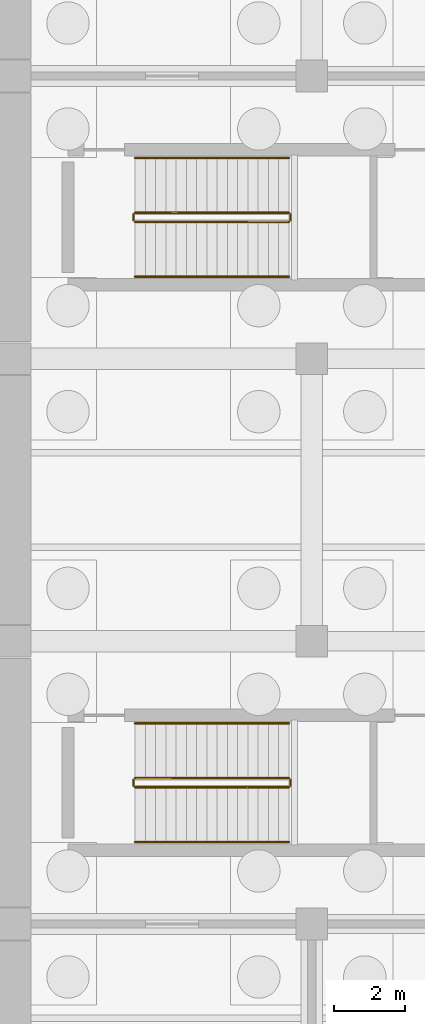
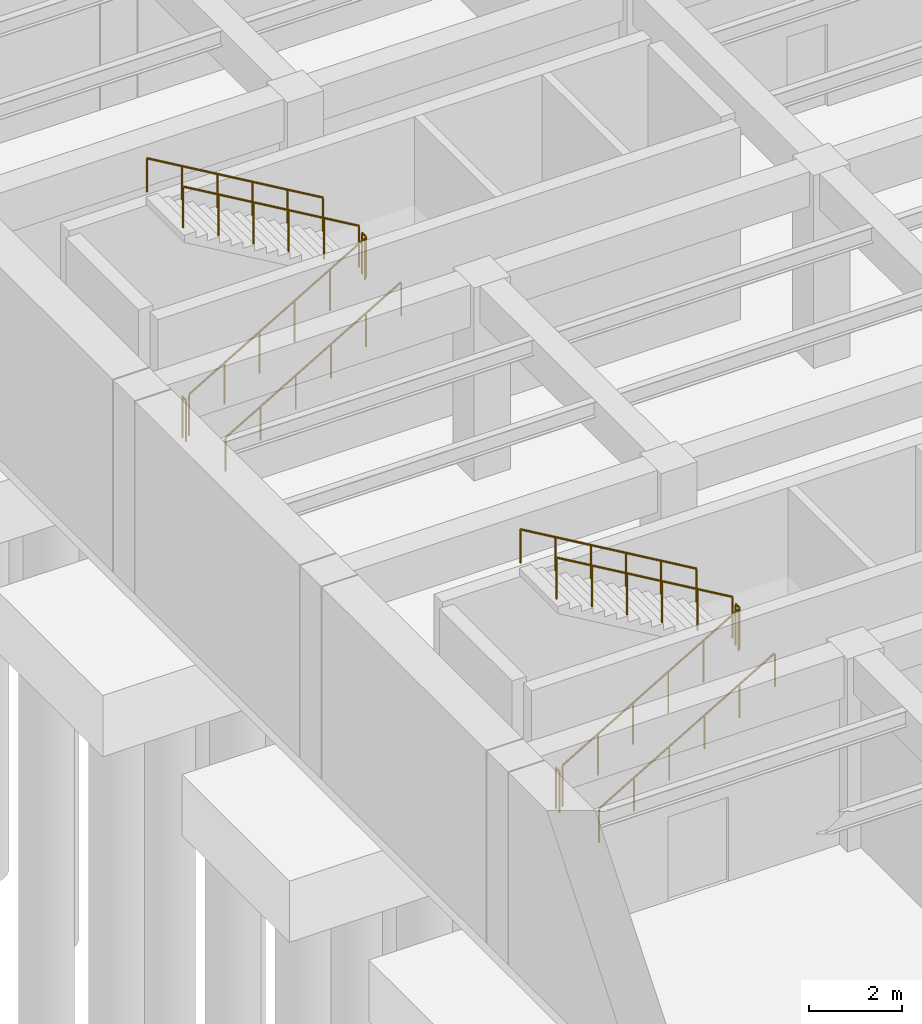
# One storey, part 10 of 12: 12 railings.
"""IFC4 building model written with IfcOpenShell, lengths in metres."""

from ifc_helpers import new_model, si_unit, direction, frame, origin, origin_2d, place, context, subcontext, project, spatial, circle, extrude, material, type_object, element, save


model = new_model("IFC4")

# Units and contexts
model_context = context("Model", 3, precision=1e-05, world=origin(), true_north=direction((0.0, 1.0)))
body_context = subcontext(model_context, "Body", "Model", "MODEL_VIEW")
ifc_project = project(units=[si_unit("LENGTHUNIT", "METRE"), si_unit("AREAUNIT", "SQUARE_METRE"), si_unit("VOLUMEUNIT", "CUBIC_METRE"), si_unit("PLANEANGLEUNIT", "RADIAN"), si_unit("MASSUNIT", "GRAM", prefix="KILO")], contexts=[model_context])

# Site, building, storey
site_placement = place(None, origin())
site = spatial("IfcSite", under=ifc_project, at=site_placement, CompositionType="ELEMENT")
building_placement = place(site_placement, origin())
building = spatial("IfcBuilding", under=site, at=building_placement, Name="Kranzveld Transit Interchange", CompositionType="ELEMENT")
storey_placement = place(building_placement, frame((0.0, 0.0, -10.8798828125)))
storey = spatial("IfcBuildingStorey", under=building, at=storey_placement, Name="B2", CompositionType="ELEMENT", Elevation=-10.8798828125)

# Railings
ifc_material_1 = material(Name="Steel S355JR", Category="steel")
railing_type_1 = type_object("IfcRailingType", Name="Stair & Ramp Handrail Steel 900", PredefinedType="HANDRAIL", material=ifc_material_1)
railing_1_placement = place(storey_placement, frame((3.39990234375, 66.320068359375, 0.169921875)))
element("IfcRailing", 1, at=railing_1_placement, inside=storey, type_object=railing_type_1, Name="B2 ST-C1 stair handrail 1", PredefinedType="HANDRAIL", context=body_context, shape_type="SweptSolid", body=[
    extrude(circle(Radius=0.02392578125, at=origin_2d()), frame((0.0, 0.0, 0.8759765625), z_axis=(0.862698698498, 0.0, 0.505718257145), x_axis=(0.0, 1.0, 0.0)), (0.0, 0.0, 1.0), 5.04248046875),
    extrude(circle(Radius=0.02099609375, at=origin_2d()), origin(), (0.0, 0.0, 1.0), 0.849853515625),
    extrude(circle(Radius=0.02099609375, at=origin_2d()), frame((0.8701171875, 0.0, 0.510009765625)), (0.0, 0.0, 1.0), 0.849853515625),
    extrude(circle(Radius=0.02099609375, at=origin_2d()), frame((1.739990234375, 0.0, 1.02001953125)), (0.0, 0.0, 1.0), 0.849853515625),
    extrude(circle(Radius=0.02099609375, at=origin_2d()), frame((2.610107421875, 0.0, 1.530029296875)), (0.0, 0.0, 1.0), 0.849853515625),
    extrude(circle(Radius=0.02099609375, at=origin_2d()), frame((3.47998046875, 0.0, 2.0400390625)), (0.0, 0.0, 1.0), 0.849853515625),
    extrude(circle(Radius=0.02099609375, at=origin_2d()), frame((4.35009765625, 0.0, 2.550048828125)), (0.0, 0.0, 1.0), 0.849853515625),
])
railing_2_placement = place(storey_placement, frame((7.75, 69.679931640625, 2.889892578125)))
element("IfcRailing", 2, at=railing_2_placement, inside=storey, type_object=railing_type_1, Name="B2 ST-C1 stair handrail 2", PredefinedType="HANDRAIL", context=body_context, shape_type="SweptSolid", body=[
    extrude(circle(Radius=0.02392578125, at=origin_2d()), frame((0.0, 0.0, 0.8759765625), z_axis=(-0.862698698498, 0.0, 0.505718257145), x_axis=(0.0, -1.0, 0.0)), (0.0, 0.0, 1.0), 5.04248046875),
    extrude(circle(Radius=0.02099609375, at=origin_2d()), origin(), (0.0, 0.0, 1.0), 0.849853515625),
    extrude(circle(Radius=0.02099609375, at=origin_2d()), frame((-0.8701171875, 0.0, 0.510009765625)), (0.0, 0.0, 1.0), 0.849853515625),
    extrude(circle(Radius=0.02099609375, at=origin_2d()), frame((-1.739990234375, 0.0, 1.02001953125)), (0.0, 0.0, 1.0), 0.849853515625),
    extrude(circle(Radius=0.02099609375, at=origin_2d()), frame((-2.610107421875, 0.0, 1.530029296875)), (0.0, 0.0, 1.0), 0.849853515625),
    extrude(circle(Radius=0.02099609375, at=origin_2d()), frame((-3.47998046875, 0.0, 2.0400390625)), (0.0, 0.0, 1.0), 0.849853515625),
    extrude(circle(Radius=0.02099609375, at=origin_2d()), frame((-4.35009765625, 0.0, 2.550048828125)), (0.0, 0.0, 1.0), 0.849853515625),
])
railing_3_placement = place(storey_placement, frame((3.39990234375, 82.320068359375, 0.169921875)))
element("IfcRailing", 3, at=railing_3_placement, inside=storey, type_object=railing_type_1, Name="B2 ST-C2 stair handrail 1", PredefinedType="HANDRAIL", context=body_context, shape_type="SweptSolid", body=[
    extrude(circle(Radius=0.02392578125, at=origin_2d()), frame((0.0, 0.0, 0.8759765625), z_axis=(0.862698698498, 0.0, 0.505718257145), x_axis=(0.0, 1.0, 0.0)), (0.0, 0.0, 1.0), 5.04248046875),
    extrude(circle(Radius=0.02099609375, at=origin_2d()), origin(), (0.0, 0.0, 1.0), 0.849853515625),
    extrude(circle(Radius=0.02099609375, at=origin_2d()), frame((0.8701171875, 0.0, 0.510009765625)), (0.0, 0.0, 1.0), 0.849853515625),
    extrude(circle(Radius=0.02099609375, at=origin_2d()), frame((1.739990234375, 0.0, 1.02001953125)), (0.0, 0.0, 1.0), 0.849853515625),
    extrude(circle(Radius=0.02099609375, at=origin_2d()), frame((2.610107421875, 0.0, 1.530029296875)), (0.0, 0.0, 1.0), 0.849853515625),
    extrude(circle(Radius=0.02099609375, at=origin_2d()), frame((3.47998046875, 0.0, 2.0400390625)), (0.0, 0.0, 1.0), 0.849853515625),
    extrude(circle(Radius=0.02099609375, at=origin_2d()), frame((4.35009765625, 0.0, 2.550048828125)), (0.0, 0.0, 1.0), 0.849853515625),
])
railing_4_placement = place(storey_placement, frame((7.75, 85.679931640625, 2.889892578125)))
element("IfcRailing", 4, at=railing_4_placement, inside=storey, type_object=railing_type_1, Name="B2 ST-C2 stair handrail 2", PredefinedType="HANDRAIL", context=body_context, shape_type="SweptSolid", body=[
    extrude(circle(Radius=0.02392578125, at=origin_2d()), frame((0.0, 0.0, 0.8759765625), z_axis=(-0.862698698498, 0.0, 0.505718257145), x_axis=(0.0, -1.0, 0.0)), (0.0, 0.0, 1.0), 5.04248046875),
    extrude(circle(Radius=0.02099609375, at=origin_2d()), origin(), (0.0, 0.0, 1.0), 0.849853515625),
    extrude(circle(Radius=0.02099609375, at=origin_2d()), frame((-0.8701171875, 0.0, 0.510009765625)), (0.0, 0.0, 1.0), 0.849853515625),
    extrude(circle(Radius=0.02099609375, at=origin_2d()), frame((-1.739990234375, 0.0, 1.02001953125)), (0.0, 0.0, 1.0), 0.849853515625),
    extrude(circle(Radius=0.02099609375, at=origin_2d()), frame((-2.610107421875, 0.0, 1.530029296875)), (0.0, 0.0, 1.0), 0.849853515625),
    extrude(circle(Radius=0.02099609375, at=origin_2d()), frame((-3.47998046875, 0.0, 2.0400390625)), (0.0, 0.0, 1.0), 0.849853515625),
    extrude(circle(Radius=0.02099609375, at=origin_2d()), frame((-4.35009765625, 0.0, 2.550048828125)), (0.0, 0.0, 1.0), 0.849853515625),
])
ifc_material_2 = material(Name="Steel S355JR", Category="steel")
railing_type_2 = type_object("IfcRailingType", Name="Stair Well Guardrail Steel 1100", PredefinedType="GUARDRAIL", material=ifc_material_2)
railing_5_placement = place(storey_placement, frame((3.39990234375, 67.8701171875, 0.169921875)))
element("IfcRailing", 5, at=railing_5_placement, inside=storey, type_object=railing_type_2, Name="B2 ST-C1 stair guard 1", PredefinedType="GUARDRAIL", context=body_context, shape_type="SweptSolid", body=[
    extrude(circle(Radius=0.02392578125, at=origin_2d()), frame((0.0, 0.0, 1.076171875), z_axis=(0.862698698498, 0.0, 0.505718257145), x_axis=(0.0, 1.0, 0.0)), (0.0, 0.0, 1.0), 5.04248046875),
    extrude(circle(Radius=0.02099609375, at=origin_2d()), origin(), (0.0, 0.0, 1.0), 1.050048828125),
    extrude(circle(Radius=0.02099609375, at=origin_2d()), frame((0.8701171875, 0.0, 0.510009765625)), (0.0, 0.0, 1.0), 1.050048828125),
    extrude(circle(Radius=0.02099609375, at=origin_2d()), frame((1.739990234375, 0.0, 1.02001953125)), (0.0, 0.0, 1.0), 1.050048828125),
    extrude(circle(Radius=0.02099609375, at=origin_2d()), frame((2.610107421875, 0.0, 1.530029296875)), (0.0, 0.0, 1.0), 1.050048828125),
    extrude(circle(Radius=0.02099609375, at=origin_2d()), frame((3.47998046875, 0.0, 2.0400390625)), (0.0, 0.0, 1.0), 1.050048828125),
    extrude(circle(Radius=0.02099609375, at=origin_2d()), frame((4.35009765625, 0.0, 2.550048828125)), (0.0, 0.0, 1.0), 1.050048828125),
])
railing_6_placement = place(storey_placement, frame((7.800048828125, 67.919921875, 2.719970703125)))
element("IfcRailing", 6, at=railing_6_placement, inside=storey, type_object=railing_type_2, Name="B2 ST-C1 stair guard 2", PredefinedType="GUARDRAIL", context=body_context, shape_type="SweptSolid", body=[
    extrude(circle(Radius=0.02392578125, at=origin_2d()), frame((0.0, 0.0, 1.076171875), z_axis=(0.0, 1.0, 0.0), x_axis=(-1.0, 0.0, 0.0)), (0.0, 0.0, 1.0), 0.16015625),
    extrude(circle(Radius=0.02099609375, at=origin_2d()), origin(), (0.0, 0.0, 1.0), 1.050048828125),
    extrude(circle(Radius=0.02099609375, at=origin_2d()), frame((0.0, 0.16015625, 0.0)), (0.0, 0.0, 1.0), 1.050048828125),
])
railing_7_placement = place(storey_placement, frame((7.75, 68.1298828125, 2.889892578125)))
element("IfcRailing", 7, at=railing_7_placement, inside=storey, type_object=railing_type_2, Name="B2 ST-C1 stair guard 3", PredefinedType="GUARDRAIL", context=body_context, shape_type="SweptSolid", body=[
    extrude(circle(Radius=0.02392578125, at=origin_2d()), frame((0.0, 0.0, 1.076171875), z_axis=(-0.862698698498, 0.0, 0.505718257145), x_axis=(0.0, -1.0, 0.0)), (0.0, 0.0, 1.0), 5.04248046875),
    extrude(circle(Radius=0.02099609375, at=origin_2d()), origin(), (0.0, 0.0, 1.0), 1.050048828125),
    extrude(circle(Radius=0.02099609375, at=origin_2d()), frame((-0.8701171875, 0.0, 0.510009765625)), (0.0, 0.0, 1.0), 1.050048828125),
    extrude(circle(Radius=0.02099609375, at=origin_2d()), frame((-1.739990234375, 0.0, 1.02001953125)), (0.0, 0.0, 1.0), 1.050048828125),
    extrude(circle(Radius=0.02099609375, at=origin_2d()), frame((-2.610107421875, 0.0, 1.530029296875)), (0.0, 0.0, 1.0), 1.050048828125),
    extrude(circle(Radius=0.02099609375, at=origin_2d()), frame((-3.47998046875, 0.0, 2.0400390625)), (0.0, 0.0, 1.0), 1.050048828125),
    extrude(circle(Radius=0.02099609375, at=origin_2d()), frame((-4.35009765625, 0.0, 2.550048828125)), (0.0, 0.0, 1.0), 1.050048828125),
])
railing_8_placement = place(storey_placement, frame((3.35009765625, 67.919921875, 0.0)))
element("IfcRailing", 8, at=railing_8_placement, inside=storey, type_object=railing_type_2, Name="B2 ST-C1 stair guard 4", PredefinedType="GUARDRAIL", context=body_context, shape_type="SweptSolid", body=[
    extrude(circle(Radius=0.02392578125, at=origin_2d()), frame((0.0, 0.0, 1.076171875), z_axis=(0.0, 1.0, 0.0), x_axis=(-1.0, 0.0, 0.0)), (0.0, 0.0, 1.0), 0.16015625),
    extrude(circle(Radius=0.02099609375, at=origin_2d()), origin(), (0.0, 0.0, 1.0), 1.050048828125),
    extrude(circle(Radius=0.02099609375, at=origin_2d()), frame((0.0, 0.16015625, 0.0)), (0.0, 0.0, 1.0), 1.050048828125),
])
railing_9_placement = place(storey_placement, frame((3.39990234375, 83.8701171875, 0.169921875)))
element("IfcRailing", 9, at=railing_9_placement, inside=storey, type_object=railing_type_2, Name="B2 ST-C2 stair guard 1", PredefinedType="GUARDRAIL", context=body_context, shape_type="SweptSolid", body=[
    extrude(circle(Radius=0.02392578125, at=origin_2d()), frame((0.0, 0.0, 1.076171875), z_axis=(0.862698698498, 0.0, 0.505718257145), x_axis=(0.0, 1.0, 0.0)), (0.0, 0.0, 1.0), 5.04248046875),
    extrude(circle(Radius=0.02099609375, at=origin_2d()), origin(), (0.0, 0.0, 1.0), 1.050048828125),
    extrude(circle(Radius=0.02099609375, at=origin_2d()), frame((0.8701171875, 0.0, 0.510009765625)), (0.0, 0.0, 1.0), 1.050048828125),
    extrude(circle(Radius=0.02099609375, at=origin_2d()), frame((1.739990234375, 0.0, 1.02001953125)), (0.0, 0.0, 1.0), 1.050048828125),
    extrude(circle(Radius=0.02099609375, at=origin_2d()), frame((2.610107421875, 0.0, 1.530029296875)), (0.0, 0.0, 1.0), 1.050048828125),
    extrude(circle(Radius=0.02099609375, at=origin_2d()), frame((3.47998046875, 0.0, 2.0400390625)), (0.0, 0.0, 1.0), 1.050048828125),
    extrude(circle(Radius=0.02099609375, at=origin_2d()), frame((4.35009765625, 0.0, 2.550048828125)), (0.0, 0.0, 1.0), 1.050048828125),
])
railing_10_placement = place(storey_placement, frame((7.800048828125, 83.919921875, 2.719970703125)))
element("IfcRailing", 10, at=railing_10_placement, inside=storey, type_object=railing_type_2, Name="B2 ST-C2 stair guard 2", PredefinedType="GUARDRAIL", context=body_context, shape_type="SweptSolid", body=[
    extrude(circle(Radius=0.02392578125, at=origin_2d()), frame((0.0, 0.0, 1.076171875), z_axis=(0.0, 1.0, 0.0), x_axis=(-1.0, 0.0, 0.0)), (0.0, 0.0, 1.0), 0.16015625),
    extrude(circle(Radius=0.02099609375, at=origin_2d()), origin(), (0.0, 0.0, 1.0), 1.050048828125),
    extrude(circle(Radius=0.02099609375, at=origin_2d()), frame((0.0, 0.16015625, 0.0)), (0.0, 0.0, 1.0), 1.050048828125),
])
railing_11_placement = place(storey_placement, frame((7.75, 84.1298828125, 2.889892578125)))
element("IfcRailing", 11, at=railing_11_placement, inside=storey, type_object=railing_type_2, Name="B2 ST-C2 stair guard 3", PredefinedType="GUARDRAIL", context=body_context, shape_type="SweptSolid", body=[
    extrude(circle(Radius=0.02392578125, at=origin_2d()), frame((0.0, 0.0, 1.076171875), z_axis=(-0.862698698498, 0.0, 0.505718257145), x_axis=(0.0, -1.0, 0.0)), (0.0, 0.0, 1.0), 5.04248046875),
    extrude(circle(Radius=0.02099609375, at=origin_2d()), origin(), (0.0, 0.0, 1.0), 1.050048828125),
    extrude(circle(Radius=0.02099609375, at=origin_2d()), frame((-0.8701171875, 0.0, 0.510009765625)), (0.0, 0.0, 1.0), 1.050048828125),
    extrude(circle(Radius=0.02099609375, at=origin_2d()), frame((-1.739990234375, 0.0, 1.02001953125)), (0.0, 0.0, 1.0), 1.050048828125),
    extrude(circle(Radius=0.02099609375, at=origin_2d()), frame((-2.610107421875, 0.0, 1.530029296875)), (0.0, 0.0, 1.0), 1.050048828125),
    extrude(circle(Radius=0.02099609375, at=origin_2d()), frame((-3.47998046875, 0.0, 2.0400390625)), (0.0, 0.0, 1.0), 1.050048828125),
    extrude(circle(Radius=0.02099609375, at=origin_2d()), frame((-4.35009765625, 0.0, 2.550048828125)), (0.0, 0.0, 1.0), 1.050048828125),
])
railing_12_placement = place(storey_placement, frame((3.35009765625, 83.919921875, 0.0)))
element("IfcRailing", 12, at=railing_12_placement, inside=storey, type_object=railing_type_2, Name="B2 ST-C2 stair guard 4", PredefinedType="GUARDRAIL", context=body_context, shape_type="SweptSolid", body=[
    extrude(circle(Radius=0.02392578125, at=origin_2d()), frame((0.0, 0.0, 1.076171875), z_axis=(0.0, 1.0, 0.0), x_axis=(-1.0, 0.0, 0.0)), (0.0, 0.0, 1.0), 0.16015625),
    extrude(circle(Radius=0.02099609375, at=origin_2d()), origin(), (0.0, 0.0, 1.0), 1.050048828125),
    extrude(circle(Radius=0.02099609375, at=origin_2d()), frame((0.0, 0.16015625, 0.0)), (0.0, 0.0, 1.0), 1.050048828125),
])

save(model, "model.ifc")
